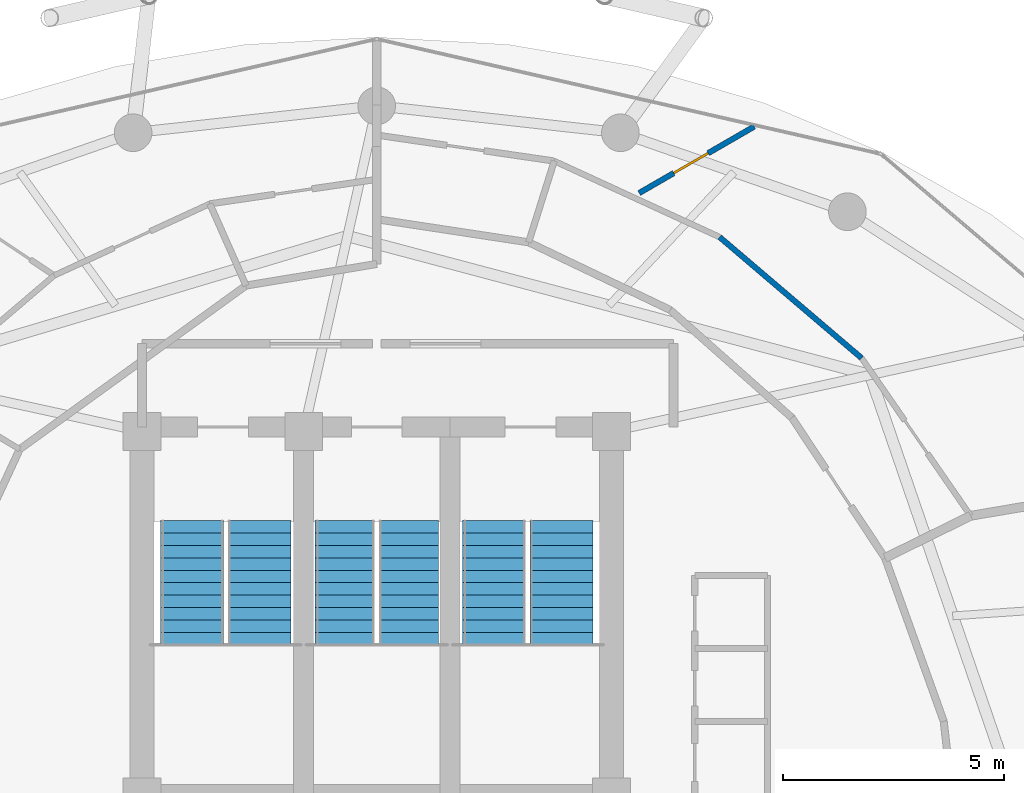
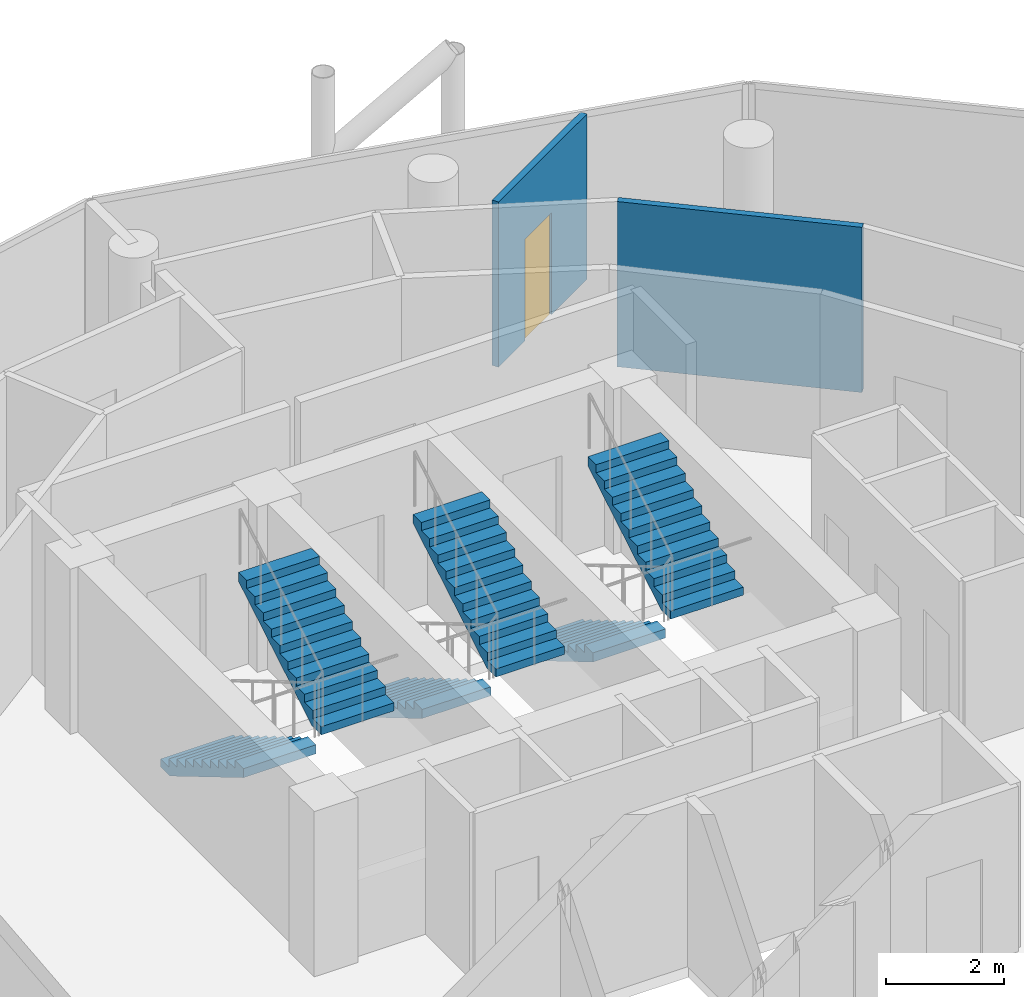
# One storey, part 26 of 27: 6 stair flights, 2 walls, 1 door, 1 opening, 3 elements without a shape of their own.
"""IFC4 building model written with IfcOpenShell, lengths in metres."""

from ifc_helpers import new_model, si_unit, direction, frame, frame_2d, origin, place, context, subcontext, project, spatial, polyline, rectangle, outline, extrude, material, layer, layer_set, type_object, element, fill, aggregate, save


model = new_model("IFC4")

# Units and contexts
model_context = context("Model", 3, precision=1e-05, world=origin(), true_north=direction((0.0, 1.0)))
body_context = subcontext(model_context, "Body", "Model", "MODEL_VIEW")
ifc_project = project(units=[si_unit("LENGTHUNIT", "METRE"), si_unit("AREAUNIT", "SQUARE_METRE"), si_unit("VOLUMEUNIT", "CUBIC_METRE"), si_unit("PLANEANGLEUNIT", "RADIAN"), si_unit("MASSUNIT", "GRAM", prefix="KILO")], contexts=[model_context])

# Site, building, storey
site_placement = place(None, origin())
site = spatial("IfcSite", under=ifc_project, at=site_placement, CompositionType="ELEMENT")
building_placement = place(site_placement, origin())
building = spatial("IfcBuilding", under=site, at=building_placement, Name="Nuhasar Tower", CompositionType="ELEMENT")
storey_placement = place(building_placement, frame((0.0, 0.0, 237.35009765625)))
storey = spatial("IfcBuildingStorey", under=building, at=storey_placement, Name="L58", CompositionType="ELEMENT", Elevation=237.35009765625)

# Wall
ifc_material_1 = material(Name="Gypsum Board", Category="gypsum")
ifc_layer = layer(ifc_material_1, 0.125)
ifc_layer_set = layer_set([ifc_layer], Name="Gypsum Board")
wall_type = type_object("IfcWallType", Name="WL-PART-125", PredefinedType="PARTITIONING", material=ifc_layer_set)
wall_1_placement = place(storey_placement, frame((49.946044921875, 38.955078125, 0.0), z_axis=(0.0, 0.0, 1.0), x_axis=(-0.761143609707, 0.648583383538, 0.0)))
element("IfcWall", 1, at=wall_1_placement, inside=storey, type_object=wall_type, Name="L58 Interior Partition UMID-03-A-06", PredefinedType="PARTITIONING", context=body_context, shape_type="SweptSolid", body=[
    extrude(rectangle(XDim=4.212158203125, YDim=0.125, at=frame_2d((2.10595703125, 0.0))), origin(), (0.0, 0.0, 1.0), 3.409912109375),
])

# Wall, opening, door
wall_2_placement = place(storey_placement, frame((44.924072265625, 42.680908203125, 0.0), z_axis=(0.0, 0.0, 1.0), x_axis=(0.865693518227, 0.500574402561, 0.0)))
wall_2 = element("IfcWall", 2, at=wall_2_placement, inside=storey, type_object=wall_type, Name="L58 Interior Partition UOUT-03-B1", PredefinedType="PARTITIONING", context=body_context, shape_type="SweptSolid", body=[
    extrude(rectangle(XDim=3.0009765625, YDim=0.125, at=frame_2d((1.50048828125, 0.0))), origin(), (0.0, 0.0, 1.0), 3.409912109375),
])
opening_placement = place(wall_2_placement, frame((0.89990234375, 0.0, 0.0)))
opening = element("IfcOpeningElement", 3, at=opening_placement, cuts=wall_2, Name="Opening DR-01", PredefinedType="OPENING", context=body_context, shape_type="SweptSolid", body=[
    extrude(rectangle(XDim=0.89990234375, YDim=2.10009765625, at=frame_2d((0.449951171875, 1.050048828125))), frame((0.0, 0.072509765625, 0.0), z_axis=(0.0, -1.0, 0.0), x_axis=(1.0, 0.0, 0.0)), (0.0, 0.0, 1.0), 0.14501953125),
])
ifc_material_2 = material(Name="Timber Oak", Category="wood")
door_type = type_object("IfcDoorType", Name="DR-ROOM-900", OperationType="NOTDEFINED", PredefinedType="DOOR", material=ifc_material_2)
door_placement = place(opening_placement, origin())
door = element("IfcDoor", 4, at=door_placement, inside=storey, type_object=door_type, Name="L58 U03 Bedroom Door", OperationType="SINGLE_SWING_LEFT", OverallHeight=2.10009765625, OverallWidth=0.89990234375, PredefinedType="DOOR", context=body_context, shape_type="SweptSolid", body=[
    extrude(rectangle(XDim=0.89990234375, YDim=2.10009765625, at=frame_2d((0.449951171875, 1.050048828125))), frame((0.0, 0.02490234375, 0.0), z_axis=(0.0, -1.0, 0.0), x_axis=(1.0, 0.0, 0.0)), (0.0, 0.0, 1.0), 0.050048828125),
])
fill(opening, door)

# Stair, stair flights
ifc_material_3 = material(Name="Concrete C45/55", Category="concrete")
stair_type_1 = type_object("IfcStairType", Name="STR-ST-01-2F-22R-1659", PredefinedType="HALF_TURN_STAIR", material=ifc_material_3)
stair_1_placement = place(storey_placement, origin())
stair_1 = element("IfcStair", 5, at=stair_1_placement, inside=storey, type_object=stair_type_1, Name="L58 Exit Stair ST-01", PredefinedType="HALF_TURN_STAIR")
stair_flight_type_1 = type_object("IfcStairFlightType", Name="SFL-ST-01-11R-1659", PredefinedType="STRAIGHT", material=ifc_material_3)
stair_flight_1_placement = place(storey_placement, frame((34.830078125, 35.284912109375, 0.0), z_axis=(0.0, 0.0, 1.0), x_axis=(0.0, -1.0, 0.0)))
stair_flight_1 = element("IfcStairFlight", 6, at=stair_flight_1_placement, type_object=stair_flight_type_1, Name="ST-01 flight 1", NumberOfRisers=11, NumberOfTreads=10, PredefinedType="STRAIGHT", RiserHeight=0.165909, TreadLength=0.28, context=body_context, shape_type="SweptSolid", body=[
    extrude(outline(polyline([(0.0, 0.0), (0.0, 0.166015625), (0.280029296875, 0.166015625), (0.280029296875, 0.331787109375), (0.56005859375, 0.331787109375), (0.56005859375, 0.497802734375), (0.840087890625, 0.497802734375), (0.840087890625, 0.66357421875), (1.1201171875, 0.66357421875), (1.1201171875, 0.82958984375), (1.39990234375, 0.82958984375), (1.39990234375, 0.995361328125), (1.679931640625, 0.995361328125), (1.679931640625, 1.161376953125), (1.9599609375, 1.161376953125), (1.9599609375, 1.327392578125), (2.239990234375, 1.327392578125), (2.239990234375, 1.4931640625), (2.52001953125, 1.4931640625), (2.52001953125, 1.6591796875), (2.800048828125, 1.6591796875), (2.800048828125, 1.824951171875), (2.800048828125, 1.47314453125), (0.313720703125, 0.0), (0.0, 0.0)])), frame((0.0, 0.7099609375, 0.0), z_axis=(0.0, -1.0, 0.0), x_axis=(1.0, 0.0, 0.0)), (0.0, 0.0, 1.0), 1.419921875),
])
stair_flight_2_placement = place(storey_placement, frame((36.35009765625, 32.485107421875, 1.824951171875), z_axis=(0.0, 0.0, 1.0), x_axis=(0.0, 1.0, 0.0)))
stair_flight_2 = element("IfcStairFlight", 7, at=stair_flight_2_placement, type_object=stair_flight_type_1, Name="ST-01 flight 2", NumberOfRisers=11, NumberOfTreads=10, PredefinedType="STRAIGHT", RiserHeight=0.165909, TreadLength=0.28, context=body_context, shape_type="SweptSolid", body=[
    extrude(outline(polyline([(0.0, 0.0), (0.0, 0.166015625), (0.280029296875, 0.166015625), (0.280029296875, 0.331787109375), (0.56005859375, 0.331787109375), (0.56005859375, 0.497802734375), (0.840087890625, 0.497802734375), (0.840087890625, 0.66357421875), (1.1201171875, 0.66357421875), (1.1201171875, 0.82958984375), (1.39990234375, 0.82958984375), (1.39990234375, 0.995361328125), (1.679931640625, 0.995361328125), (1.679931640625, 1.161376953125), (1.9599609375, 1.161376953125), (1.9599609375, 1.327392578125), (2.239990234375, 1.327392578125), (2.239990234375, 1.4931640625), (2.52001953125, 1.4931640625), (2.52001953125, 1.6591796875), (2.800048828125, 1.6591796875), (2.800048828125, 1.824951171875), (2.800048828125, 1.47314453125), (0.313720703125, 0.0), (0.0, 0.0)])), frame((0.0, 0.7099609375, 0.0), z_axis=(0.0, -1.0, 0.0), x_axis=(1.0, 0.0, 0.0)), (0.0, 0.0, 1.0), 1.419921875),
])
aggregate(stair_1, [stair_flight_1, stair_flight_2])

stair_type_2 = type_object("IfcStairType", Name="STR-ST-02-2F-22R-1659", PredefinedType="HALF_TURN_STAIR", material=ifc_material_3)
stair_2_placement = place(storey_placement, origin())
stair_2 = element("IfcStair", 8, at=stair_2_placement, inside=storey, type_object=stair_type_2, Name="L58 Exit Stair ST-02", PredefinedType="HALF_TURN_STAIR")
stair_flight_type_2 = type_object("IfcStairFlightType", Name="SFL-ST-02-11R-1659", PredefinedType="STRAIGHT", material=ifc_material_3)
stair_flight_3_placement = place(storey_placement, frame((41.64990234375, 35.284912109375, 0.0), z_axis=(0.0, 0.0, 1.0), x_axis=(0.0, -1.0, 0.0)))
stair_flight_3 = element("IfcStairFlight", 9, at=stair_flight_3_placement, type_object=stair_flight_type_2, Name="ST-02 flight 1", NumberOfRisers=11, NumberOfTreads=10, PredefinedType="STRAIGHT", RiserHeight=0.165909, TreadLength=0.28, context=body_context, shape_type="SweptSolid", body=[
    extrude(outline(polyline([(0.0, 0.0), (0.0, 0.166015625), (0.280029296875, 0.166015625), (0.280029296875, 0.331787109375), (0.56005859375, 0.331787109375), (0.56005859375, 0.497802734375), (0.840087890625, 0.497802734375), (0.840087890625, 0.66357421875), (1.1201171875, 0.66357421875), (1.1201171875, 0.82958984375), (1.39990234375, 0.82958984375), (1.39990234375, 0.995361328125), (1.679931640625, 0.995361328125), (1.679931640625, 1.161376953125), (1.9599609375, 1.161376953125), (1.9599609375, 1.327392578125), (2.239990234375, 1.327392578125), (2.239990234375, 1.4931640625), (2.52001953125, 1.4931640625), (2.52001953125, 1.6591796875), (2.800048828125, 1.6591796875), (2.800048828125, 1.824951171875), (2.800048828125, 1.47314453125), (0.313720703125, 0.0), (0.0, 0.0)])), frame((0.0, 0.7099609375, 0.0), z_axis=(0.0, -1.0, 0.0), x_axis=(1.0, 0.0, 0.0)), (0.0, 0.0, 1.0), 1.419921875),
])
stair_flight_4_placement = place(storey_placement, frame((43.169921875, 32.485107421875, 1.824951171875), z_axis=(0.0, 0.0, 1.0), x_axis=(0.0, 1.0, 0.0)))
stair_flight_4 = element("IfcStairFlight", 10, at=stair_flight_4_placement, type_object=stair_flight_type_2, Name="ST-02 flight 2", NumberOfRisers=11, NumberOfTreads=10, PredefinedType="STRAIGHT", RiserHeight=0.165909, TreadLength=0.28, context=body_context, shape_type="SweptSolid", body=[
    extrude(outline(polyline([(0.0, 0.0), (0.0, 0.166015625), (0.280029296875, 0.166015625), (0.280029296875, 0.331787109375), (0.56005859375, 0.331787109375), (0.56005859375, 0.497802734375), (0.840087890625, 0.497802734375), (0.840087890625, 0.66357421875), (1.1201171875, 0.66357421875), (1.1201171875, 0.82958984375), (1.39990234375, 0.82958984375), (1.39990234375, 0.995361328125), (1.679931640625, 0.995361328125), (1.679931640625, 1.161376953125), (1.9599609375, 1.161376953125), (1.9599609375, 1.327392578125), (2.239990234375, 1.327392578125), (2.239990234375, 1.4931640625), (2.52001953125, 1.4931640625), (2.52001953125, 1.6591796875), (2.800048828125, 1.6591796875), (2.800048828125, 1.824951171875), (2.800048828125, 1.47314453125), (0.313720703125, 0.0), (0.0, 0.0)])), frame((0.0, 0.7099609375, 0.0), z_axis=(0.0, -1.0, 0.0), x_axis=(1.0, 0.0, 0.0)), (0.0, 0.0, 1.0), 1.419921875),
])
aggregate(stair_2, [stair_flight_3, stair_flight_4])

stair_type_3 = type_object("IfcStairType", Name="STR-ST-03-2F-22R-1659", PredefinedType="HALF_TURN_STAIR", material=ifc_material_3)
stair_3_placement = place(storey_placement, origin())
stair_3 = element("IfcStair", 11, at=stair_3_placement, inside=storey, type_object=stair_type_3, Name="L58 Exit Stair ST-03", PredefinedType="HALF_TURN_STAIR")
stair_flight_type_3 = type_object("IfcStairFlightType", Name="SFL-ST-03-11R-1659", PredefinedType="STRAIGHT", material=ifc_material_3)
stair_flight_5_placement = place(storey_placement, frame((38.280029296875, 35.284912109375, 0.0), z_axis=(0.0, 0.0, 1.0), x_axis=(0.0, -1.0, 0.0)))
stair_flight_5 = element("IfcStairFlight", 12, at=stair_flight_5_placement, type_object=stair_flight_type_3, Name="ST-03 flight 1", NumberOfRisers=11, NumberOfTreads=10, PredefinedType="STRAIGHT", RiserHeight=0.165909, TreadLength=0.28, context=body_context, shape_type="SweptSolid", body=[
    extrude(outline(polyline([(0.0, 0.0), (0.0, 0.166015625), (0.280029296875, 0.166015625), (0.280029296875, 0.331787109375), (0.56005859375, 0.331787109375), (0.56005859375, 0.497802734375), (0.840087890625, 0.497802734375), (0.840087890625, 0.66357421875), (1.1201171875, 0.66357421875), (1.1201171875, 0.82958984375), (1.39990234375, 0.82958984375), (1.39990234375, 0.995361328125), (1.679931640625, 0.995361328125), (1.679931640625, 1.161376953125), (1.9599609375, 1.161376953125), (1.9599609375, 1.327392578125), (2.239990234375, 1.327392578125), (2.239990234375, 1.4931640625), (2.52001953125, 1.4931640625), (2.52001953125, 1.6591796875), (2.800048828125, 1.6591796875), (2.800048828125, 1.824951171875), (2.800048828125, 1.47314453125), (0.313720703125, 0.0), (0.0, 0.0)])), frame((0.0, 0.669921875, 0.0), z_axis=(0.0, -1.0, 0.0), x_axis=(1.0, 0.0, 0.0)), (0.0, 0.0, 1.0), 1.340087890625),
])
stair_flight_6_placement = place(storey_placement, frame((39.719970703125, 32.485107421875, 1.824951171875), z_axis=(0.0, 0.0, 1.0), x_axis=(0.0, 1.0, 0.0)))
stair_flight_6 = element("IfcStairFlight", 13, at=stair_flight_6_placement, type_object=stair_flight_type_3, Name="ST-03 flight 2", NumberOfRisers=11, NumberOfTreads=10, PredefinedType="STRAIGHT", RiserHeight=0.165909, TreadLength=0.28, context=body_context, shape_type="SweptSolid", body=[
    extrude(outline(polyline([(0.0, 0.0), (0.0, 0.166015625), (0.280029296875, 0.166015625), (0.280029296875, 0.331787109375), (0.56005859375, 0.331787109375), (0.56005859375, 0.497802734375), (0.840087890625, 0.497802734375), (0.840087890625, 0.66357421875), (1.1201171875, 0.66357421875), (1.1201171875, 0.82958984375), (1.39990234375, 0.82958984375), (1.39990234375, 0.995361328125), (1.679931640625, 0.995361328125), (1.679931640625, 1.161376953125), (1.9599609375, 1.161376953125), (1.9599609375, 1.327392578125), (2.239990234375, 1.327392578125), (2.239990234375, 1.4931640625), (2.52001953125, 1.4931640625), (2.52001953125, 1.6591796875), (2.800048828125, 1.6591796875), (2.800048828125, 1.824951171875), (2.800048828125, 1.47314453125), (0.313720703125, 0.0), (0.0, 0.0)])), frame((0.0, 0.669921875, 0.0), z_axis=(0.0, -1.0, 0.0), x_axis=(1.0, 0.0, 0.0)), (0.0, 0.0, 1.0), 1.340087890625),
])
aggregate(stair_3, [stair_flight_5, stair_flight_6])

save(model, "model.ifc")
